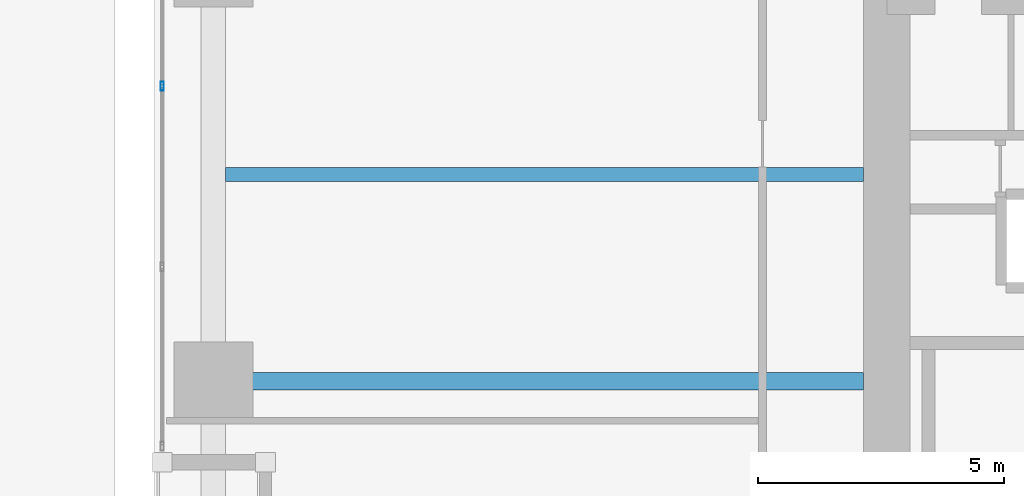
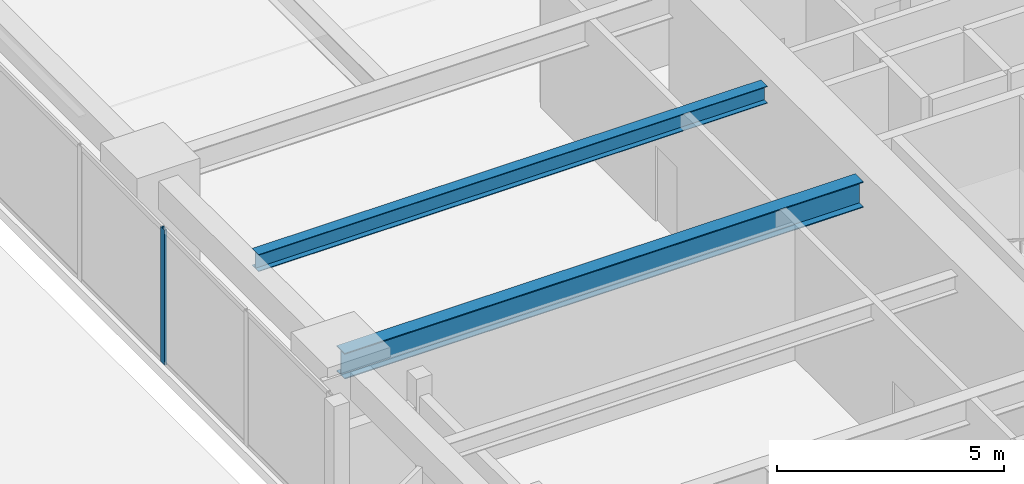
# One storey, part 3 of 38: 2 beams, 1 member, 1 element without a shape of its own.
"""IFC4 building model written with IfcOpenShell, lengths in metres."""

from ifc_helpers import new_model, si_unit, direction, frame, origin, origin_2d, place, context, subcontext, project, spatial, hollow_rectangle, i_section, extrude, material, layer, layer_set, material_profile, profile_set, type_object, element, aggregate, save


model = new_model("IFC4")

# Units and contexts
model_context = context("Model", 3, precision=1e-05, world=origin(), true_north=direction((0.0, 1.0)))
body_context = subcontext(model_context, "Body", "Model", "MODEL_VIEW")
ifc_project = project(units=[si_unit("LENGTHUNIT", "METRE"), si_unit("AREAUNIT", "SQUARE_METRE"), si_unit("VOLUMEUNIT", "CUBIC_METRE"), si_unit("PLANEANGLEUNIT", "RADIAN"), si_unit("MASSUNIT", "GRAM", prefix="KILO")], contexts=[model_context])

# Site, building, storey
site_placement = place(None, origin())
site = spatial("IfcSite", under=ifc_project, at=site_placement, CompositionType="ELEMENT")
building_placement = place(site_placement, origin())
building = spatial("IfcBuilding", under=site, at=building_placement, Name="Kiyonajd Concourse Tower", CompositionType="ELEMENT")
storey_placement = place(building_placement, frame((0.0, 0.0, 21.60009765625)))
storey = spatial("IfcBuildingStorey", under=building, at=storey_placement, Name="L06", CompositionType="ELEMENT", Elevation=21.60009765625)

# Beams
ifc_material_1 = material(Name="Steel ASTM A992 Grade 50", Category="steel")
ifc_material_profile_1 = material_profile(ifc_material_1, i_section(OverallWidth=0.280029296875, OverallDepth=0.462890625, WebThickness=0.0107421875, FlangeThickness=0.017333984375, at=origin_2d()), Name="W460X113")
ifc_profile_set_1 = profile_set([ifc_material_profile_1], Name="Steel ASTM A992 Grade 50")
beam_type_1 = type_object("IfcBeamType", Name="BM-JST-460A", PredefinedType="JOIST", material=ifc_profile_set_1)
beam_1_placement = place(storey_placement, frame((19.449951171875, 40.199951171875, 3.408447265625), z_axis=(1.0, 0.0, 0.0), x_axis=(0.0, 1.0, 0.0)))
element("IfcBeam", 1, at=beam_1_placement, inside=storey, type_object=beam_type_1, Name="L06 West Secondary Floor Joist", PredefinedType="JOIST", context=body_context, shape_type="SweptSolid", body=[
    extrude(i_section(OverallWidth=0.280029296875, OverallDepth=0.462890625, WebThickness=0.0107421875, FlangeThickness=0.017333984375, at=origin_2d()), origin(), (0.0, 0.0, 1.0), 12.949951171875),
])
ifc_material_profile_2 = material_profile(ifc_material_1, i_section(OverallWidth=0.35498046875, OverallDepth=0.695068359375, WebThickness=0.015380859375, FlangeThickness=0.02490234375, at=origin_2d()), Name="W690X217")
ifc_profile_set_2 = profile_set([ifc_material_profile_2], Name="Steel ASTM A992 Grade 50")
beam_type_2 = type_object("IfcBeamType", Name="BM-TWR-690", PredefinedType="BEAM", material=ifc_profile_set_2)
beam_2_placement = place(storey_placement, frame((19.199951171875, 36.0, 3.29248046875), z_axis=(1.0, 0.0, 0.0), x_axis=(0.0, 1.0, 0.0)))
element("IfcBeam", 2, at=beam_2_placement, inside=storey, type_object=beam_type_2, Name="L06 West Lease Girder", PredefinedType="BEAM", context=body_context, shape_type="SweptSolid", body=[
    extrude(i_section(OverallWidth=0.35498046875, OverallDepth=0.695068359375, WebThickness=0.015380859375, FlangeThickness=0.02490234375, at=origin_2d()), origin(), (0.0, 0.0, 1.0), 13.199951171875),
])

# Curtain wall, member
ifc_material_2 = material(Name="Thermally Broken Anodised Aluminium", Category="aluminium")
ifc_layer = layer(ifc_material_2, 0.179931640625)
ifc_layer_set = layer_set([ifc_layer], Name="Thermally Broken Anodised Aluminium")
curtain_wall_type = type_object("IfcCurtainWallType", Name="CW-SYS-02", PredefinedType="NOTDEFINED", material=ifc_layer_set)
curtain_wall_placement = place(storey_placement, origin())
curtain_wall = element("IfcCurtainWall", 3, at=curtain_wall_placement, inside=storey, type_object=curtain_wall_type, Name="L06 Unitised Curtain Wall CW2", PredefinedType="NOTDEFINED")
ifc_material_profile_3 = material_profile(ifc_material_2, hollow_rectangle(XDim=0.06494140625, YDim=0.179931640625, WallThickness=0.00390625, at=origin_2d()), Name="MULL-65x180")
ifc_profile_set_3 = profile_set([ifc_material_profile_3], Name="Thermally Broken Anodised Aluminium")
member_type = type_object("IfcMemberType", Name="MB-CW-MULL1", PredefinedType="MULLION", material=ifc_profile_set_3)
member_placement = place(storey_placement, frame((18.159912109375, 41.996337890625, 0.0), z_axis=(0.0, 0.0, 1.0), x_axis=(-1.0, 0.0, 0.0)))
member = element("IfcMember", 4, at=member_placement, type_object=member_type, Name="CW2 mullion 3", PredefinedType="MULLION", context=body_context, shape_type="SweptSolid", body=[
    extrude(hollow_rectangle(XDim=0.06494140625, YDim=0.179931640625, WallThickness=0.00390625, at=origin_2d()), origin(), (0.0, 0.0, 1.0), 3.639892578125),
])
aggregate(curtain_wall, [member])

save(model, "model.ifc")
